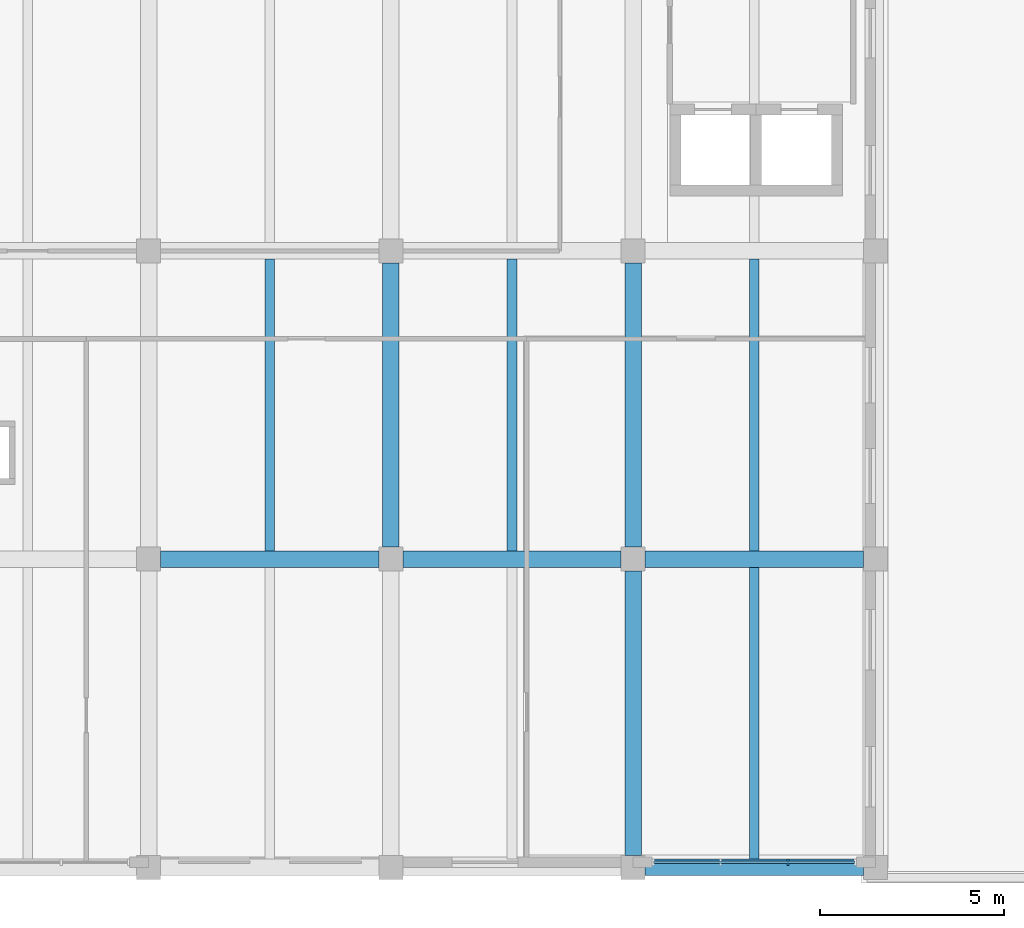
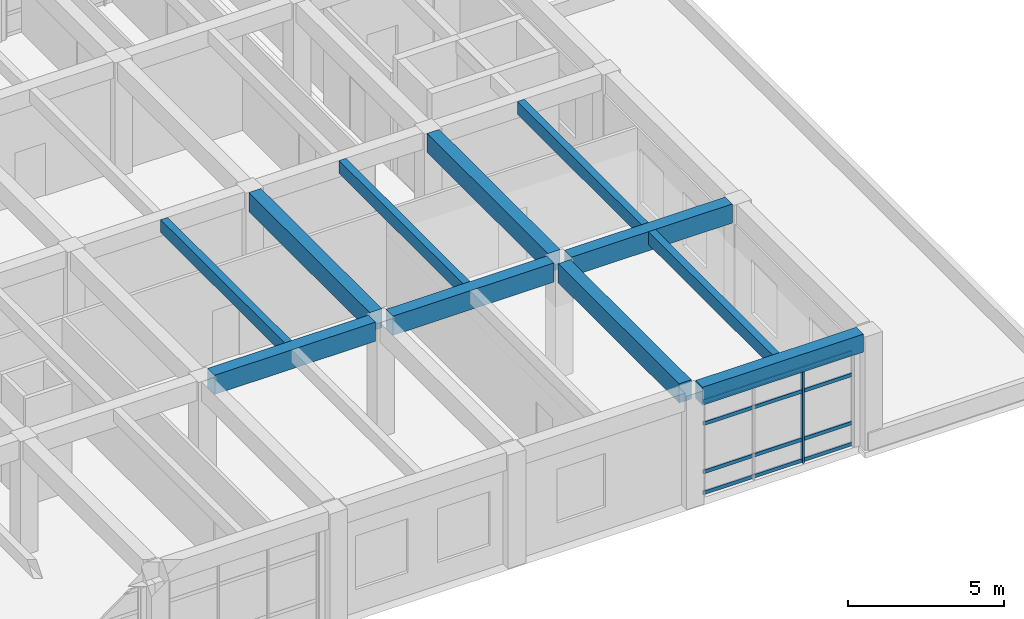
# One storey, part 3 of 50: 11 beams, 5 members, 1 element without a shape of its own.
"""IFC4 building model written with IfcOpenShell, lengths in metres."""

from ifc_helpers import new_model, si_unit, direction, frame, origin, origin_2d, place, context, subcontext, project, spatial, rectangle, extrude, material, layer, layer_set, material_profile, profile_set, type_object, element, aggregate, save


model = new_model("IFC4")

# Units and contexts
model_context = context("Model", 3, precision=1e-05, world=origin(), true_north=direction((0.0, 1.0)))
body_context = subcontext(model_context, "Body", "Model", "MODEL_VIEW")
ifc_project = project(units=[si_unit("LENGTHUNIT", "METRE"), si_unit("AREAUNIT", "SQUARE_METRE"), si_unit("VOLUMEUNIT", "CUBIC_METRE"), si_unit("PLANEANGLEUNIT", "RADIAN"), si_unit("MASSUNIT", "GRAM", prefix="KILO")], contexts=[model_context])

# Site, building, storey
site_placement = place(None, origin())
site = spatial("IfcSite", under=ifc_project, at=site_placement, CompositionType="ELEMENT")
building_placement = place(site_placement, origin())
building = spatial("IfcBuilding", under=site, at=building_placement, Name="Kolvaren Faculty of Natural Sciences", CompositionType="ELEMENT")
storey_placement = place(building_placement, frame((0.0, 0.0, 15.0)))
storey = spatial("IfcBuildingStorey", under=building, at=storey_placement, Name="L03", CompositionType="ELEMENT", Elevation=15.0)

# Curtain wall, members
ifc_material_1 = material(Name="Thermally broken anodised aluminium framing", Category="aluminium")
ifc_layer = layer(ifc_material_1, 0.179931640625)
ifc_layer_set = layer_set([ifc_layer], Name="Thermally broken anodised aluminium framing")
curtain_wall_type = type_object("IfcCurtainWallType", Name="CommonsCurtainWall_CW02", PredefinedType="NOTDEFINED", material=ifc_layer_set)
curtain_wall_placement = place(storey_placement, origin())
curtain_wall = element("IfcCurtainWall", 1, at=curtain_wall_placement, inside=storey, type_object=curtain_wall_type, Name="L03 unitised curtain wall CW-02 (CW-L03-138)", PredefinedType="NOTDEFINED")
ifc_material_profile_1 = material_profile(ifc_material_1, rectangle(XDim=0.06005859375, YDim=0.179931640625, at=origin_2d()), Name="ALU MUL 60x180")
ifc_profile_set_1 = profile_set([ifc_material_profile_1], Name="Thermally broken anodised aluminium framing")
member_type_1 = type_object("IfcMemberType", Name="CurtainMullion_60x180", PredefinedType="MULLION", material=ifc_profile_set_1)
member_1_placement = place(storey_placement, frame((37.416748046875, 8.739990234375, 0.0), z_axis=(0.0, 0.0, 1.0), x_axis=(-1.0, 0.0, 0.0)))
member_1 = element("IfcMember", 2, at=member_1_placement, type_object=member_type_1, Name="CW-L03-138 vertical mullion 2", PredefinedType="MULLION", context=body_context, shape_type="SweptSolid", body=[
    extrude(rectangle(XDim=0.06005859375, YDim=0.179931640625, at=origin_2d()), origin(), (0.0, 0.0, 1.0), 3.735107421875),
])
ifc_material_profile_2 = material_profile(ifc_material_1, rectangle(XDim=0.06005859375, YDim=0.139892578125, at=origin_2d()), Name="ALU TRN 60x140")
ifc_profile_set_2 = profile_set([ifc_material_profile_2], Name="Thermally broken anodised aluminium framing")
member_type_2 = type_object("IfcMemberType", Name="CurtainTransom_60x140", PredefinedType="USERDEFINED", material=ifc_profile_set_2)
member_2_placement = place(storey_placement, frame((39.25, 8.739990234375, 0.080078125), z_axis=(-1.0, 0.0, 0.0), x_axis=(0.0, -1.0, 0.0)))
member_2 = element("IfcMember", 3, at=member_2_placement, type_object=member_type_2, Name="CW-L03-138 horizontal transom 1", ObjectType="TRANSOM", PredefinedType="USERDEFINED", context=body_context, shape_type="SweptSolid", body=[
    extrude(rectangle(XDim=0.06005859375, YDim=0.139892578125, at=origin_2d()), origin(), (0.0, 0.0, 1.0), 5.5),
])
member_3_placement = place(storey_placement, frame((39.25, 8.739990234375, 0.89990234375), z_axis=(-1.0, 0.0, 0.0), x_axis=(0.0, -1.0, 0.0)))
member_3 = element("IfcMember", 4, at=member_3_placement, type_object=member_type_2, Name="CW-L03-138 horizontal transom 2", ObjectType="TRANSOM", PredefinedType="USERDEFINED", context=body_context, shape_type="SweptSolid", body=[
    extrude(rectangle(XDim=0.06005859375, YDim=0.139892578125, at=origin_2d()), origin(), (0.0, 0.0, 1.0), 5.5),
])
member_4_placement = place(storey_placement, frame((39.25, 8.739990234375, 2.784912109375), z_axis=(-1.0, 0.0, 0.0), x_axis=(0.0, -1.0, 0.0)))
member_4 = element("IfcMember", 5, at=member_4_placement, type_object=member_type_2, Name="CW-L03-138 horizontal transom 3", ObjectType="TRANSOM", PredefinedType="USERDEFINED", context=body_context, shape_type="SweptSolid", body=[
    extrude(rectangle(XDim=0.06005859375, YDim=0.139892578125, at=origin_2d()), origin(), (0.0, 0.0, 1.0), 5.5),
])
member_5_placement = place(storey_placement, frame((39.25, 8.739990234375, 3.655029296875), z_axis=(-1.0, 0.0, 0.0), x_axis=(0.0, -1.0, 0.0)))
member_5 = element("IfcMember", 6, at=member_5_placement, type_object=member_type_2, Name="CW-L03-138 horizontal transom 4", ObjectType="TRANSOM", PredefinedType="USERDEFINED", context=body_context, shape_type="SweptSolid", body=[
    extrude(rectangle(XDim=0.06005859375, YDim=0.139892578125, at=origin_2d()), origin(), (0.0, 0.0, 1.0), 5.5),
])
aggregate(curtain_wall, [member_1, member_2, member_3, member_4, member_5])

# Beams
ifc_material_2 = material(Name="Concrete C35/45", Category="concrete")
ifc_material_profile_3 = material_profile(ifc_material_2, rectangle(XDim=0.260009765625, YDim=0.5, at=origin_2d()), Name="RC JST 260x500")
ifc_profile_set_3 = profile_set([ifc_material_profile_3], Name="Concrete C35/45")
beam_type_1 = type_object("IfcBeamType", Name="LabRibJoist_260x500", PredefinedType="JOIST", material=ifc_profile_set_3)
for number, where, z_axis, x_axis, name in (
    (7, (23.300048828125, 17.22509765625, 4.25), (0.0, 1.0, 0.0), (-1.0, 0.0, 0.0), "L03 ribbed laboratory slab joist JS-50"),
    (8, (29.89990234375, 17.22509765625, 4.25), (0.0, 1.0, 0.0), (-1.0, 0.0, 0.0), "L03 ribbed laboratory slab joist JS-50"),
    (9, (36.5, 8.824951171875, 4.25), (0.0, 1.0, 0.0), (-1.0, 0.0, 0.0), "L03 ribbed laboratory slab joist JS-50"),
    (10, (36.5, 17.22509765625, 4.25), (0.0, 1.0, 0.0), (-1.0, 0.0, 0.0), "L03 ribbed laboratory slab joist JS-50"),
):
    element("IfcBeam", number, at=place(storey_placement, frame(where, z_axis=z_axis, x_axis=x_axis)), inside=storey, type_object=beam_type_1, Name=name, PredefinedType="JOIST", context=body_context, shape_type="SweptSolid", body=[
        extrude(rectangle(XDim=0.260009765625, YDim=0.5, at=origin_2d()), origin(), (0.0, 0.0, 1.0), 7.949951171875),
    ])
ifc_material_profile_4 = material_profile(ifc_material_2, rectangle(XDim=0.449951171875, YDim=0.699951171875, at=origin_2d()), Name="RC SP 450x700")
ifc_profile_set_4 = profile_set([ifc_material_profile_4], Name="Concrete C35/45")
beam_type_2 = type_object("IfcBeamType", Name="PerimeterSpandrel_450x700", PredefinedType="SPANDREL", material=ifc_profile_set_4)
beam_1_placement = place(storey_placement, frame((33.52490234375, 8.60009765625, 4.14990234375), z_axis=(1.0, 0.0, 0.0), x_axis=(0.0, 1.0, 0.0)))
element("IfcBeam", 11, at=beam_1_placement, inside=storey, type_object=beam_type_2, Name="L03 spandrel SP-70 on grid B", PredefinedType="SPANDREL", context=body_context, shape_type="SweptSolid", body=[
    extrude(rectangle(XDim=0.449951171875, YDim=0.699951171875, at=origin_2d()), origin(), (0.0, 0.0, 1.0), 5.9501953125),
])
ifc_material_profile_5 = material_profile(ifc_material_2, rectangle(XDim=0.449951171875, YDim=0.75, at=origin_2d()), Name="RC BM 450x750")
ifc_profile_set_5 = profile_set([ifc_material_profile_5], Name="Concrete C35/45")
beam_type_3 = type_object("IfcBeamType", Name="PrimaryGirder_450x750", PredefinedType="BEAM", material=ifc_profile_set_5)
for number, where, z_axis, x_axis, name in (
    (12, (20.324951171875, 17.0, 4.125), (1.0, 0.0, 0.0), (0.0, 1.0, 0.0), "L03 beam BG-75 on grid C"),
    (13, (26.925048828125, 17.0, 4.125), (1.0, 0.0, 0.0), (0.0, 1.0, 0.0), "L03 beam BG-75 on grid C"),
):
    element("IfcBeam", number, at=place(storey_placement, frame(where, z_axis=z_axis, x_axis=x_axis)), inside=storey, type_object=beam_type_3, Name=name, PredefinedType="BEAM", context=body_context, shape_type="SweptSolid", body=[
        extrude(rectangle(XDim=0.449951171875, YDim=0.75, at=origin_2d()), origin(), (0.0, 0.0, 1.0), 5.949951171875),
    ])
beam_2_placement = place(storey_placement, frame((33.52490234375, 17.0, 4.125), z_axis=(1.0, 0.0, 0.0), x_axis=(0.0, 1.0, 0.0)))
element("IfcBeam", 14, at=beam_2_placement, inside=storey, type_object=beam_type_3, Name="L03 beam BG-75 on grid C", PredefinedType="BEAM", context=body_context, shape_type="SweptSolid", body=[
    extrude(rectangle(XDim=0.449951171875, YDim=0.75, at=origin_2d()), origin(), (0.0, 0.0, 1.0), 5.9501953125),
])
for number, where, z_axis, x_axis, name in (
    (15, (26.60009765625, 17.324951171875, 4.125), (0.0, 1.0, 0.0), (-1.0, 0.0, 0.0), "L03 girder BG-75 on grid 5"),
    (16, (33.199951171875, 8.925048828125, 4.125), (0.0, 1.0, 0.0), (-1.0, 0.0, 0.0), "L03 girder BG-75 on grid 6"),
    (17, (33.199951171875, 17.324951171875, 4.125), (0.0, 1.0, 0.0), (-1.0, 0.0, 0.0), "L03 girder BG-75 on grid 6"),
):
    element("IfcBeam", number, at=place(storey_placement, frame(where, z_axis=z_axis, x_axis=x_axis)), inside=storey, type_object=beam_type_3, Name=name, PredefinedType="BEAM", context=body_context, shape_type="SweptSolid", body=[
        extrude(rectangle(XDim=0.449951171875, YDim=0.75, at=origin_2d()), origin(), (0.0, 0.0, 1.0), 7.75),
    ])

save(model, "model.ifc")
